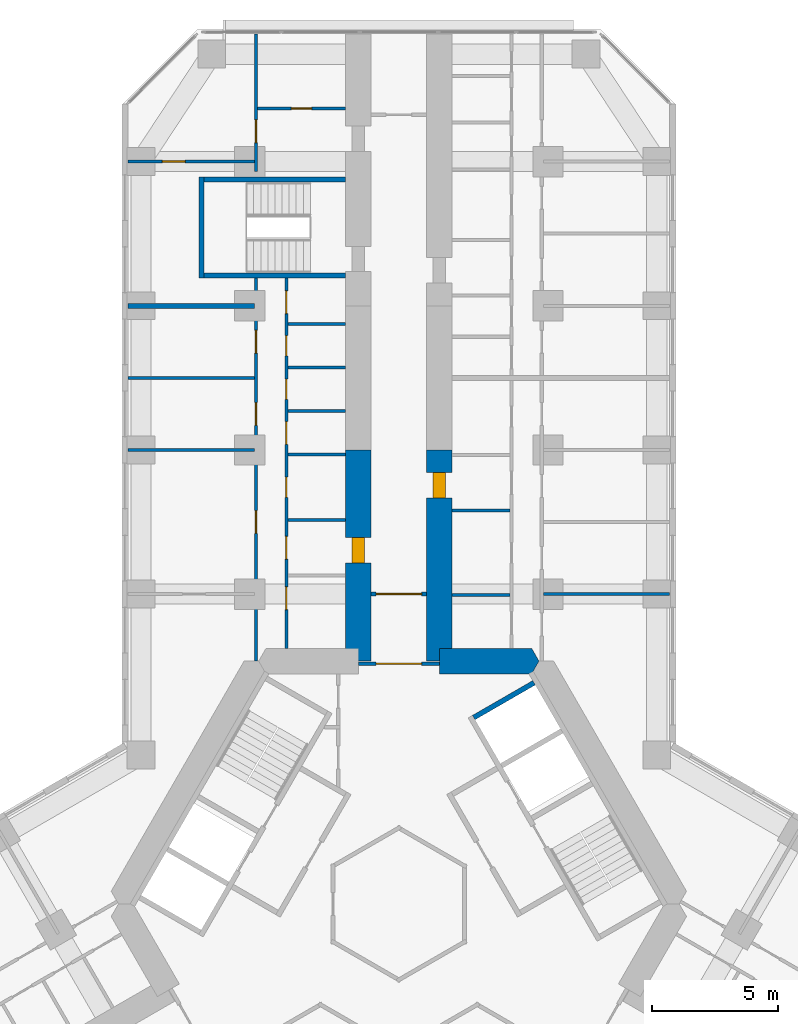
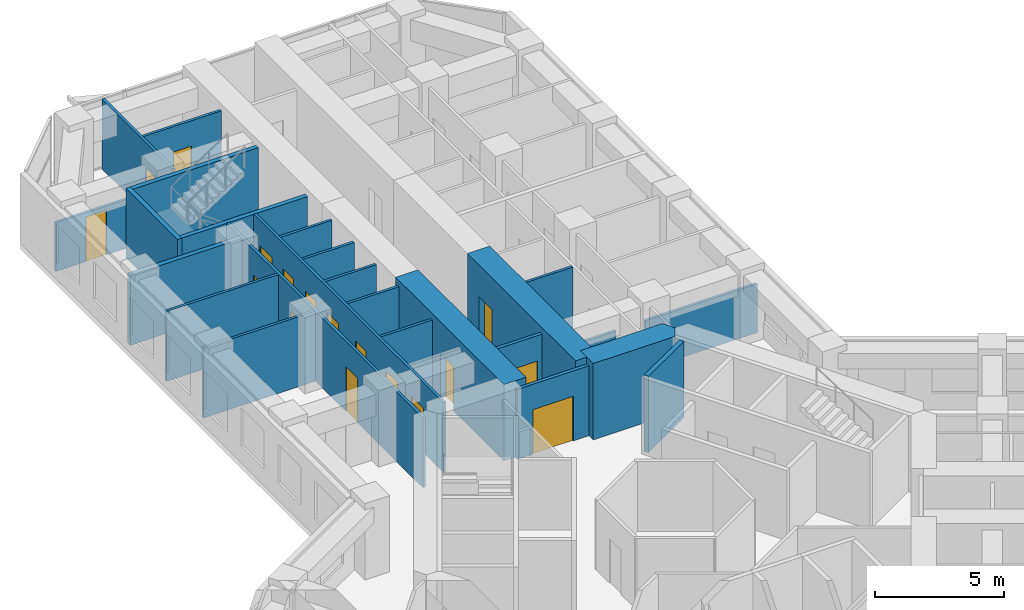
# One storey, part 17 of 21: 25 walls, 17 doors, 17 openings.
"""IFC4 building model written with IfcOpenShell, lengths in metres."""

from ifc_helpers import new_model, si_unit, direction, frame, frame_2d, origin, place, context, subcontext, project, spatial, polyline, rectangle, outline, extrude, material, layer, layer_set, type_object, element, fill, save


model = new_model("IFC4")

# Units and contexts
model_context = context("Model", 3, precision=1e-05, world=origin(), true_north=direction((0.0, 1.0)))
body_context = subcontext(model_context, "Body", "Model", "MODEL_VIEW")
ifc_project = project(units=[si_unit("LENGTHUNIT", "METRE"), si_unit("AREAUNIT", "SQUARE_METRE"), si_unit("VOLUMEUNIT", "CUBIC_METRE"), si_unit("PLANEANGLEUNIT", "RADIAN"), si_unit("MASSUNIT", "GRAM", prefix="KILO")], contexts=[model_context])

# Site, building, storey
site_placement = place(None, origin())
site = spatial("IfcSite", under=ifc_project, at=site_placement, CompositionType="ELEMENT")
building_placement = place(site_placement, origin())
building = spatial("IfcBuilding", under=site, at=building_placement, Name="Kosmar Iwan School Tower", CompositionType="ELEMENT")
storey_placement = place(building_placement, frame((0.0, 0.0, 28.800048828125)))
storey = spatial("IfcBuildingStorey", under=building, at=storey_placement, Name="L06", CompositionType="ELEMENT", Elevation=28.800048828125)

# Wall
ifc_material_1 = material(Name="Concrete C50/60", Category="concrete")
ifc_layer_1 = layer(ifc_material_1, 1.0)
ifc_layer_set_1 = layer_set([ifc_layer_1], Name="Core wall 1000")
wall_type_1 = type_object("IfcWallType", Name="Core wall 1000", PredefinedType="SHEAR", material=ifc_layer_set_1)
wall_1_placement = place(storey_placement, origin())
element("IfcWall", 1, at=wall_1_placement, inside=storey, type_object=wall_type_1, Name="Core wall F090a", PredefinedType="SHEAR", context=body_context, shape_type="SweptSolid", body=[
    extrude(outline(polyline([(1.60009765625, 9.10009765625), (5.25390625, 9.10009765625), (5.54248046875, 9.60009765625), (5.25390625, 10.10009765625), (1.60009765625, 10.10009765625), (1.60009765625, 9.10009765625)])), origin(), (0.0, 0.0, 1.0), 3.599853515625),
])

# Wall, opening, door
ifc_material_2 = material(Name="Concrete C50/60", Category="concrete")
ifc_layer_2 = layer(ifc_material_2, 1.0)
ifc_layer_set_2 = layer_set([ifc_layer_2], Name="Corridor buttress wall 1000")
wall_type_2 = type_object("IfcWallType", Name="Corridor buttress wall 1000", PredefinedType="SHEAR", material=ifc_layer_set_2)
wall_2_placement = place(storey_placement, frame((-1.60009765625, 9.60009765625, 0.0), z_axis=(0.0, 0.0, 1.0), x_axis=(0.0, 1.0, 0.0)))
wall_2 = element("IfcWall", 2, at=wall_2_placement, inside=storey, type_object=wall_type_2, Name="Corridor wall AL", PredefinedType="SHEAR", context=body_context, shape_type="SweptSolid", body=[
    extrude(rectangle(XDim=8.349853515625, YDim=1.0, at=frame_2d((4.1748046875, 0.0))), origin(), (0.0, 0.0, 1.0), 3.599853515625),
])
opening_1_placement = place(wall_2_placement, frame((3.8798828125, 0.0, 0.0)))
opening_1 = element("IfcOpeningElement", 3, at=opening_1_placement, cuts=wall_2, Name="Opening D1", PredefinedType="OPENING", context=body_context, shape_type="SweptSolid", body=[
    extrude(rectangle(XDim=1.0, YDim=2.10009765625, at=frame_2d((0.5, 1.050048828125))), frame((0.0, 0.511962890625, 0.0), z_axis=(0.0, -1.0, 0.0), x_axis=(1.0, 0.0, 0.0)), (0.0, 0.0, 1.0), 1.02392578125),
])
ifc_material_3 = material(Name="Timber fire door in steel frame", Category="steel")
door_type_1 = type_object("IfcDoorType", Name="Flat entrance door 1000x2100", OperationType="SINGLE_SWING_LEFT", PredefinedType="DOOR", material=ifc_material_3)
door_1_placement = place(opening_1_placement, origin())
door_1 = element("IfcDoor", 4, at=door_1_placement, inside=storey, type_object=door_type_1, Name="Flat L06-AL1 entrance door", OperationType="SINGLE_SWING_LEFT", OverallHeight=2.10009765625, OverallWidth=1.0, PredefinedType="DOOR", context=body_context, shape_type="SweptSolid", body=[
    extrude(rectangle(XDim=1.0, YDim=2.10009765625, at=frame_2d((0.5, 1.050048828125))), frame((0.0, 0.25, 0.0), z_axis=(0.0, -1.0, 0.0), x_axis=(1.0, 0.0, 0.0)), (0.0, 0.0, 1.0), 0.5),
])
fill(opening_1, door_1)

wall_3_placement = place(storey_placement, frame((1.60009765625, 9.60009765625, 0.0), z_axis=(0.0, 0.0, 1.0), x_axis=(0.0, 1.0, 0.0)))
wall_3 = element("IfcWall", 5, at=wall_3_placement, inside=storey, type_object=wall_type_2, Name="Corridor wall AR", PredefinedType="SHEAR", context=body_context, shape_type="SweptSolid", body=[
    extrude(rectangle(XDim=8.349853515625, YDim=1.0, at=frame_2d((4.1748046875, 0.0))), origin(), (0.0, 0.0, 1.0), 3.599853515625),
])
opening_2_placement = place(wall_3_placement, frame((6.449951171875, 0.0, 0.0)))
opening_2 = element("IfcOpeningElement", 6, at=opening_2_placement, cuts=wall_3, Name="Opening D1", PredefinedType="OPENING", context=body_context, shape_type="SweptSolid", body=[
    extrude(rectangle(XDim=1.0, YDim=2.10009765625, at=frame_2d((0.5, 1.050048828125))), frame((0.0, 0.511962890625, 0.0), z_axis=(0.0, -1.0, 0.0), x_axis=(1.0, 0.0, 0.0)), (0.0, 0.0, 1.0), 1.02392578125),
])
door_2_placement = place(opening_2_placement, origin())
door_2 = element("IfcDoor", 7, at=door_2_placement, inside=storey, type_object=door_type_1, Name="Flat L06-AR1 entrance door", OperationType="SINGLE_SWING_RIGHT", OverallHeight=2.10009765625, OverallWidth=1.0, PredefinedType="DOOR", context=body_context, shape_type="SweptSolid", body=[
    extrude(rectangle(XDim=1.0, YDim=2.10009765625, at=frame_2d((0.5, 1.050048828125))), frame((0.0, 0.25, 0.0), z_axis=(0.0, -1.0, 0.0), x_axis=(1.0, 0.0, 0.0)), (0.0, 0.0, 1.0), 0.5),
])
fill(opening_2, door_2)

ifc_material_4 = material(Name="Gypsum board on steel studs, fire-rated", Category="steel")
ifc_layer_3 = layer(ifc_material_4, 0.14990234375)
ifc_layer_set_3 = layer_set([ifc_layer_3], Name="Corridor end wall 150")
wall_type_3 = type_object("IfcWallType", Name="Corridor end wall 150", PredefinedType="PARTITIONING", material=ifc_layer_set_3)
wall_4_placement = place(storey_placement, frame((1.10009765625, 12.25, 0.0), z_axis=(0.0, 0.0, 1.0), x_axis=(-1.0, 0.0, 0.0)))
wall_4 = element("IfcWall", 8, at=wall_4_placement, inside=storey, type_object=wall_type_3, Name="Partition L06-A-HW", PredefinedType="PARTITIONING", context=body_context, shape_type="SweptSolid", body=[
    extrude(rectangle(XDim=2.2001953125, YDim=0.14990234375, at=frame_2d((1.10009765625, 0.0))), origin(), (0.0, 0.0, 1.0), 3.300048828125),
])
opening_3_placement = place(wall_4_placement, frame((0.199951171875, 0.0, 0.0)))
opening_3 = element("IfcOpeningElement", 9, at=opening_3_placement, cuts=wall_4, Name="Opening D9", PredefinedType="OPENING", context=body_context, shape_type="SweptSolid", body=[
    extrude(rectangle(XDim=1.800048828125, YDim=2.10009765625, at=frame_2d((0.89990234375, 1.050048828125))), frame((0.0, 0.0869140625, 0.0), z_axis=(0.0, -1.0, 0.0), x_axis=(1.0, 0.0, 0.0)), (0.0, 0.0, 1.0), 0.173828125),
])
ifc_material_5 = material(Name="Steel framed glazed smoke door", Category="steel")
door_type_2 = type_object("IfcDoorType", Name="Corridor smoke door pair 1800x2100", OperationType="DOUBLE_DOOR_DOUBLE_SWING", PredefinedType="DOOR", material=ifc_material_5)
door_3_placement = place(opening_3_placement, origin())
door_3 = element("IfcDoor", 10, at=door_3_placement, inside=storey, type_object=door_type_2, Name="Entrance vestibule smoke doors L06-A", OperationType="DOUBLE_DOOR_DOUBLE_SWING", OverallHeight=2.10009765625, OverallWidth=1.800048828125, PredefinedType="DOOR", context=body_context, shape_type="SweptSolid", body=[
    extrude(rectangle(XDim=1.800048828125, YDim=2.10009765625, at=frame_2d((0.89990234375, 1.050048828125))), frame((0.0, 0.02490234375, 0.0), z_axis=(0.0, -1.0, 0.0), x_axis=(1.0, 0.0, 0.0)), (0.0, 0.0, 1.0), 0.050048828125),
])
fill(opening_3, door_3)

ifc_material_6 = material(Name="Steel framed glazed screen", Category="steel")
ifc_layer_4 = layer(ifc_material_6, 0.14990234375)
ifc_layer_set_4 = layer_set([ifc_layer_4], Name="Corridor screen wall 150")
wall_type_4 = type_object("IfcWallType", Name="Corridor screen wall 150", PredefinedType="PARTITIONING", material=ifc_layer_set_4)
wall_5_placement = place(storey_placement, frame((1.60009765625, 9.5, 0.0), z_axis=(0.0, 0.0, 1.0), x_axis=(-1.0, 0.0, 0.0)))
wall_5 = element("IfcWall", 11, at=wall_5_placement, inside=storey, type_object=wall_type_4, Name="Corridor screen A L06", PredefinedType="PARTITIONING", context=body_context, shape_type="SweptSolid", body=[
    extrude(rectangle(XDim=3.2001953125, YDim=0.14990234375, at=frame_2d((1.60009765625, 0.0))), origin(), (0.0, 0.0, 1.0), 3.300048828125),
])
opening_4_placement = place(wall_5_placement, frame((0.699951171875, 0.0, 0.0)))
opening_4 = element("IfcOpeningElement", 12, at=opening_4_placement, cuts=wall_5, Name="Opening D9", PredefinedType="OPENING", context=body_context, shape_type="SweptSolid", body=[
    extrude(rectangle(XDim=1.800048828125, YDim=2.10009765625, at=frame_2d((0.89990234375, 1.050048828125))), frame((0.0, 0.0869140625, 0.0), z_axis=(0.0, -1.0, 0.0), x_axis=(1.0, 0.0, 0.0)), (0.0, 0.0, 1.0), 0.173828125),
])
door_4_placement = place(opening_4_placement, origin())
door_4 = element("IfcDoor", 13, at=door_4_placement, inside=storey, type_object=door_type_2, Name="Corridor doors A L06", OperationType="DOUBLE_DOOR_DOUBLE_SWING", OverallHeight=2.10009765625, OverallWidth=1.800048828125, PredefinedType="DOOR", context=body_context, shape_type="SweptSolid", body=[
    extrude(rectangle(XDim=1.800048828125, YDim=2.10009765625, at=frame_2d((0.89990234375, 1.050048828125))), frame((0.0, 0.02490234375, 0.0), z_axis=(0.0, -1.0, 0.0), x_axis=(1.0, 0.0, 0.0)), (0.0, 0.0, 1.0), 0.050048828125),
])
fill(opening_4, door_4)

# Wall, openings, doors
ifc_material_7 = material(Name="Gypsum board on steel studs", Category="steel")
ifc_layer_5 = layer(ifc_material_7, 0.1201171875)
ifc_layer_set_5 = layer_set([ifc_layer_5], Name="Dwelling partition 120")
wall_type_5 = type_object("IfcWallType", Name="Dwelling partition 120", PredefinedType="PARTITIONING", material=ifc_layer_set_5)
wall_6_placement = place(storey_placement, frame((-4.449951171875, 10.10009765625, 0.0), z_axis=(0.0, 0.0, 1.0), x_axis=(0.0, 1.0, 0.0)))
wall_6 = element("IfcWall", 14, at=wall_6_placement, inside=storey, type_object=wall_type_5, Name="Partition L06-AL1-W1", PredefinedType="PARTITIONING", context=body_context, shape_type="SweptSolid", body=[
    extrude(rectangle(XDim=14.64990234375, YDim=0.1201171875, at=frame_2d((7.324951171875, 0.0))), origin(), (0.0, 0.0, 1.0), 3.300048828125),
])
opening_5_placement = place(wall_6_placement, frame((1.5400390625, 0.0, 0.0)))
opening_5 = element("IfcOpeningElement", 15, at=opening_5_placement, cuts=wall_6, Name="Opening D2", PredefinedType="OPENING", context=body_context, shape_type="SweptSolid", body=[
    extrude(rectangle(XDim=0.89990234375, YDim=2.10009765625, at=frame_2d((0.449951171875, 1.050048828125))), frame((0.0, 0.072021484375, 0.0), z_axis=(0.0, -1.0, 0.0), x_axis=(1.0, 0.0, 0.0)), (0.0, 0.0, 1.0), 0.14404296875),
])
opening_6_placement = place(wall_6_placement, frame((3.530029296875, 0.0, 0.0)))
opening_6 = element("IfcOpeningElement", 16, at=opening_6_placement, cuts=wall_6, Name="Opening D2", PredefinedType="OPENING", context=body_context, shape_type="SweptSolid", body=[
    extrude(rectangle(XDim=0.89990234375, YDim=2.10009765625, at=frame_2d((0.449951171875, 1.050048828125))), frame((0.0, 0.072021484375, 0.0), z_axis=(0.0, -1.0, 0.0), x_axis=(1.0, 0.0, 0.0)), (0.0, 0.0, 1.0), 0.14404296875),
])
opening_7_placement = place(wall_6_placement, frame((5.971435546875, 0.0, 0.0)))
opening_7 = element("IfcOpeningElement", 17, at=opening_7_placement, cuts=wall_6, Name="Opening D3", PredefinedType="OPENING", context=body_context, shape_type="SweptSolid", body=[
    extrude(rectangle(XDim=0.800048828125, YDim=2.10009765625, at=frame_2d((0.39990234375, 1.050048828125))), frame((0.0, 0.072021484375, 0.0), z_axis=(0.0, -1.0, 0.0), x_axis=(1.0, 0.0, 0.0)), (0.0, 0.0, 1.0), 0.14404296875),
])
opening_8_placement = place(wall_6_placement, frame((8.07373046875, 0.0, 0.0)))
opening_8 = element("IfcOpeningElement", 18, at=opening_8_placement, cuts=wall_6, Name="Opening D2", PredefinedType="OPENING", context=body_context, shape_type="SweptSolid", body=[
    extrude(rectangle(XDim=0.89990234375, YDim=2.10009765625, at=frame_2d((0.449951171875, 1.050048828125))), frame((0.0, 0.072021484375, 0.0), z_axis=(0.0, -1.0, 0.0), x_axis=(1.0, 0.0, 0.0)), (0.0, 0.0, 1.0), 0.14404296875),
])
opening_9_placement = place(wall_6_placement, frame((9.845458984375, 0.0, 0.0)))
opening_9 = element("IfcOpeningElement", 19, at=opening_9_placement, cuts=wall_6, Name="Opening D3", PredefinedType="OPENING", context=body_context, shape_type="SweptSolid", body=[
    extrude(rectangle(XDim=0.800048828125, YDim=2.10009765625, at=frame_2d((0.39990234375, 1.050048828125))), frame((0.0, 0.072021484375, 0.0), z_axis=(0.0, -1.0, 0.0), x_axis=(1.0, 0.0, 0.0)), (0.0, 0.0, 1.0), 0.14404296875),
])
opening_10_placement = place(wall_6_placement, frame((11.5673828125, 0.0, 0.0)))
opening_10 = element("IfcOpeningElement", 20, at=opening_10_placement, cuts=wall_6, Name="Opening D3", PredefinedType="OPENING", context=body_context, shape_type="SweptSolid", body=[
    extrude(rectangle(XDim=0.800048828125, YDim=2.10009765625, at=frame_2d((0.39990234375, 1.050048828125))), frame((0.0, 0.072021484375, 0.0), z_axis=(0.0, -1.0, 0.0), x_axis=(1.0, 0.0, 0.0)), (0.0, 0.0, 1.0), 0.14404296875),
])
opening_11_placement = place(wall_6_placement, frame((13.239013671875, 0.0, 0.0)))
opening_11 = element("IfcOpeningElement", 21, at=opening_11_placement, cuts=wall_6, Name="Opening D2", PredefinedType="OPENING", context=body_context, shape_type="SweptSolid", body=[
    extrude(rectangle(XDim=0.89990234375, YDim=2.10009765625, at=frame_2d((0.449951171875, 1.050048828125))), frame((0.0, 0.072021484375, 0.0), z_axis=(0.0, -1.0, 0.0), x_axis=(1.0, 0.0, 0.0)), (0.0, 0.0, 1.0), 0.14404296875),
])
ifc_material_8 = material(Name="Timber door in timber frame", Category="wood")
door_type_3 = type_object("IfcDoorType", Name="Internal door 900x2100", OperationType="SINGLE_SWING_LEFT", PredefinedType="DOOR", material=ifc_material_8)
door_5_placement = place(opening_5_placement, frame((0.89990234375, 0.0, 0.0), z_axis=(0.0, 0.0, 1.0), x_axis=(-1.0, 0.0, 0.0)))
door_5 = element("IfcDoor", 22, at=door_5_placement, inside=storey, type_object=door_type_3, Name="Utility room door L06-AL1-S1", OperationType="SINGLE_SWING_RIGHT", OverallHeight=2.10009765625, OverallWidth=0.89990234375, PredefinedType="DOOR", context=body_context, shape_type="SweptSolid", body=[
    extrude(rectangle(XDim=0.89990234375, YDim=2.10009765625, at=frame_2d((0.449951171875, 1.050048828125))), frame((0.0, 0.02490234375, 0.0), z_axis=(0.0, -1.0, 0.0), x_axis=(1.0, 0.0, 0.0)), (0.0, 0.0, 1.0), 0.050048828125),
])
fill(opening_5, door_5)
door_6_placement = place(opening_6_placement, origin())
door_6 = element("IfcDoor", 23, at=door_6_placement, inside=storey, type_object=door_type_3, Name="Entrance hall door L06-AL1-S2", OperationType="SINGLE_SWING_LEFT", OverallHeight=2.10009765625, OverallWidth=0.89990234375, PredefinedType="DOOR", context=body_context, shape_type="SweptSolid", body=[
    extrude(rectangle(XDim=0.89990234375, YDim=2.10009765625, at=frame_2d((0.449951171875, 1.050048828125))), frame((0.0, 0.02490234375, 0.0), z_axis=(0.0, -1.0, 0.0), x_axis=(1.0, 0.0, 0.0)), (0.0, 0.0, 1.0), 0.050048828125),
])
fill(opening_6, door_6)
door_7_placement = place(opening_8_placement, origin())
door_7 = element("IfcDoor", 24, at=door_7_placement, inside=storey, type_object=door_type_3, Name="Pantry door L06-AL1-S4", OperationType="SINGLE_SWING_RIGHT", OverallHeight=2.10009765625, OverallWidth=0.89990234375, PredefinedType="DOOR", context=body_context, shape_type="SweptSolid", body=[
    extrude(rectangle(XDim=0.89990234375, YDim=2.10009765625, at=frame_2d((0.449951171875, 1.050048828125))), frame((0.0, 0.02490234375, 0.0), z_axis=(0.0, -1.0, 0.0), x_axis=(1.0, 0.0, 0.0)), (0.0, 0.0, 1.0), 0.050048828125),
])
fill(opening_8, door_7)
door_8_placement = place(opening_11_placement, frame((0.89990234375, 0.0, 0.0), z_axis=(0.0, 0.0, 1.0), x_axis=(-1.0, 0.0, 0.0)))
door_8 = element("IfcDoor", 25, at=door_8_placement, inside=storey, type_object=door_type_3, Name="Dressing room door L06-AL1-S7", OperationType="SINGLE_SWING_LEFT", OverallHeight=2.10009765625, OverallWidth=0.89990234375, PredefinedType="DOOR", context=body_context, shape_type="SweptSolid", body=[
    extrude(rectangle(XDim=0.89990234375, YDim=2.10009765625, at=frame_2d((0.449951171875, 1.050048828125))), frame((0.0, 0.02490234375, 0.0), z_axis=(0.0, -1.0, 0.0), x_axis=(1.0, 0.0, 0.0)), (0.0, 0.0, 1.0), 0.050048828125),
])
fill(opening_11, door_8)
ifc_material_9 = material(Name="Timber door in timber frame", Category="wood")
door_type_4 = type_object("IfcDoorType", Name="Sanitary room door 800x2100", OperationType="SINGLE_SWING_LEFT", PredefinedType="DOOR", material=ifc_material_9)
door_9_placement = place(opening_7_placement, origin())
door_9 = element("IfcDoor", 26, at=door_9_placement, inside=storey, type_object=door_type_4, Name="Bathroom door L06-AL1-S3", OperationType="SINGLE_SWING_LEFT", OverallHeight=2.10009765625, OverallWidth=0.800048828125, PredefinedType="DOOR", context=body_context, shape_type="SweptSolid", body=[
    extrude(rectangle(XDim=0.800048828125, YDim=2.10009765625, at=frame_2d((0.39990234375, 1.050048828125))), frame((0.0, 0.02490234375, 0.0), z_axis=(0.0, -1.0, 0.0), x_axis=(1.0, 0.0, 0.0)), (0.0, 0.0, 1.0), 0.050048828125),
])
fill(opening_7, door_9)
door_10_placement = place(opening_9_placement, origin())
door_10 = element("IfcDoor", 27, at=door_10_placement, inside=storey, type_object=door_type_4, Name="WC door L06-AL1-S5", OperationType="SINGLE_SWING_RIGHT", OverallHeight=2.10009765625, OverallWidth=0.800048828125, PredefinedType="DOOR", context=body_context, shape_type="SweptSolid", body=[
    extrude(rectangle(XDim=0.800048828125, YDim=2.10009765625, at=frame_2d((0.39990234375, 1.050048828125))), frame((0.0, 0.02490234375, 0.0), z_axis=(0.0, -1.0, 0.0), x_axis=(1.0, 0.0, 0.0)), (0.0, 0.0, 1.0), 0.050048828125),
])
fill(opening_9, door_10)
door_11_placement = place(opening_10_placement, origin())
door_11 = element("IfcDoor", 28, at=door_11_placement, inside=storey, type_object=door_type_4, Name="Store door L06-AL1-S6", OperationType="SINGLE_SWING_RIGHT", OverallHeight=2.10009765625, OverallWidth=0.800048828125, PredefinedType="DOOR", context=body_context, shape_type="SweptSolid", body=[
    extrude(rectangle(XDim=0.800048828125, YDim=2.10009765625, at=frame_2d((0.39990234375, 1.050048828125))), frame((0.0, 0.02490234375, 0.0), z_axis=(0.0, -1.0, 0.0), x_axis=(1.0, 0.0, 0.0)), (0.0, 0.0, 1.0), 0.050048828125),
])
fill(opening_10, door_11)

wall_7_placement = place(storey_placement, frame((-5.64990234375, 9.60009765625, 0.0), z_axis=(0.0, 0.0, 1.0), x_axis=(0.0, 1.0, 0.0)))
wall_7 = element("IfcWall", 29, at=wall_7_placement, inside=storey, type_object=wall_type_5, Name="Partition L06-AL1-W2", PredefinedType="PARTITIONING", context=body_context, shape_type="SweptSolid", body=[
    extrude(rectangle(XDim=15.14990234375, YDim=0.1201171875, at=frame_2d((7.574951171875, 0.0))), origin(), (0.0, 0.0, 1.0), 3.300048828125),
])
opening_12_placement = place(wall_7_placement, frame((5.050048828125, 0.0, 0.0)))
opening_12 = element("IfcOpeningElement", 30, at=opening_12_placement, cuts=wall_7, Name="Opening D2", PredefinedType="OPENING", context=body_context, shape_type="SweptSolid", body=[
    extrude(rectangle(XDim=0.89990234375, YDim=2.10009765625, at=frame_2d((0.449951171875, 1.050048828125))), frame((0.0, 0.072021484375, 0.0), z_axis=(0.0, -1.0, 0.0), x_axis=(1.0, 0.0, 0.0)), (0.0, 0.0, 1.0), 0.14404296875),
])
opening_13_placement = place(wall_7_placement, frame((9.324951171875, 0.0, 0.0)))
opening_13 = element("IfcOpeningElement", 31, at=opening_13_placement, cuts=wall_7, Name="Opening D2", PredefinedType="OPENING", context=body_context, shape_type="SweptSolid", body=[
    extrude(rectangle(XDim=0.89990234375, YDim=2.10009765625, at=frame_2d((0.449951171875, 1.050048828125))), frame((0.0, 0.072021484375, 0.0), z_axis=(0.0, -1.0, 0.0), x_axis=(1.0, 0.0, 0.0)), (0.0, 0.0, 1.0), 0.14404296875),
])
opening_14_placement = place(wall_7_placement, frame((12.175048828125, 0.0, 0.0)))
opening_14 = element("IfcOpeningElement", 32, at=opening_14_placement, cuts=wall_7, Name="Opening D2", PredefinedType="OPENING", context=body_context, shape_type="SweptSolid", body=[
    extrude(rectangle(XDim=0.89990234375, YDim=2.10009765625, at=frame_2d((0.449951171875, 1.050048828125))), frame((0.0, 0.072021484375, 0.0), z_axis=(0.0, -1.0, 0.0), x_axis=(1.0, 0.0, 0.0)), (0.0, 0.0, 1.0), 0.14404296875),
])
door_12_placement = place(opening_12_placement, origin())
door_12 = element("IfcDoor", 33, at=door_12_placement, inside=storey, type_object=door_type_3, Name="Living room door L06-AL1-F2", OperationType="SINGLE_SWING_LEFT", OverallHeight=2.10009765625, OverallWidth=0.89990234375, PredefinedType="DOOR", context=body_context, shape_type="SweptSolid", body=[
    extrude(rectangle(XDim=0.89990234375, YDim=2.10009765625, at=frame_2d((0.449951171875, 1.050048828125))), frame((0.0, 0.02490234375, 0.0), z_axis=(0.0, -1.0, 0.0), x_axis=(1.0, 0.0, 0.0)), (0.0, 0.0, 1.0), 0.050048828125),
])
fill(opening_12, door_12)
door_13_placement = place(opening_13_placement, origin())
door_13 = element("IfcDoor", 34, at=door_13_placement, inside=storey, type_object=door_type_3, Name="Study door L06-AL1-F3", OperationType="SINGLE_SWING_RIGHT", OverallHeight=2.10009765625, OverallWidth=0.89990234375, PredefinedType="DOOR", context=body_context, shape_type="SweptSolid", body=[
    extrude(rectangle(XDim=0.89990234375, YDim=2.10009765625, at=frame_2d((0.449951171875, 1.050048828125))), frame((0.0, 0.02490234375, 0.0), z_axis=(0.0, -1.0, 0.0), x_axis=(1.0, 0.0, 0.0)), (0.0, 0.0, 1.0), 0.050048828125),
])
fill(opening_13, door_13)
door_14_placement = place(opening_14_placement, origin())
door_14 = element("IfcDoor", 35, at=door_14_placement, inside=storey, type_object=door_type_3, Name="Bedroom 1 door L06-AL1-F4", OperationType="SINGLE_SWING_LEFT", OverallHeight=2.10009765625, OverallWidth=0.89990234375, PredefinedType="DOOR", context=body_context, shape_type="SweptSolid", body=[
    extrude(rectangle(XDim=0.89990234375, YDim=2.10009765625, at=frame_2d((0.449951171875, 1.050048828125))), frame((0.0, 0.02490234375, 0.0), z_axis=(0.0, -1.0, 0.0), x_axis=(1.0, 0.0, 0.0)), (0.0, 0.0, 1.0), 0.050048828125),
])
fill(opening_14, door_14)

# Walls
for number, where, z_axis, x_axis, name in (
    (36, (-5.7099609375, 17.949951171875, 0.0), (0.0, 0.0, 1.0), (-1.0, 0.0, 0.0), "Partition L06-AL1-X2"),
    (37, (-5.7099609375, 20.800048828125, 0.0), (0.0, 0.0, 1.0), (-1.0, 0.0, 0.0), "Partition L06-AL1-X3"),
):
    element("IfcWall", number, at=place(storey_placement, frame(where, z_axis=z_axis, x_axis=x_axis)), inside=storey, type_object=wall_type_5, Name=name, PredefinedType="PARTITIONING", context=body_context, shape_type="SweptSolid", body=[
        extrude(rectangle(XDim=4.989990234375, YDim=0.1201171875, at=frame_2d((2.4951171875, 0.0))), origin(), (0.0, 0.0, 1.0), 3.300048828125),
    ])
for number, where, z_axis, x_axis, name in (
    (38, (-2.10009765625, 15.179931640625, 0.0), (0.0, 0.0, 1.0), (-1.0, 0.0, 0.0), "Partition L06-AL1-Y2"),
    (39, (-2.10009765625, 17.7626953125, 0.0), (0.0, 0.0, 1.0), (-1.0, 0.0, 0.0), "Partition L06-AL1-Y3"),
    (40, (-2.10009765625, 19.484619140625, 0.0), (0.0, 0.0, 1.0), (-1.0, 0.0, 0.0), "Partition L06-AL1-Y4"),
    (41, (-2.10009765625, 21.206298828125, 0.0), (0.0, 0.0, 1.0), (-1.0, 0.0, 0.0), "Partition L06-AL1-Y5"),
    (42, (-2.10009765625, 22.92822265625, 0.0), (0.0, 0.0, 1.0), (-1.0, 0.0, 0.0), "Partition L06-AL1-Y6"),
):
    element("IfcWall", number, at=place(storey_placement, frame(where, z_axis=z_axis, x_axis=x_axis)), inside=storey, type_object=wall_type_5, Name=name, PredefinedType="PARTITIONING", context=body_context, shape_type="SweptSolid", body=[
        extrude(rectangle(XDim=2.289794921875, YDim=0.1201171875, at=frame_2d((1.14501953125, 0.0))), origin(), (0.0, 0.0, 1.0), 3.300048828125),
    ])

# Wall, opening, door
wall_8_placement = place(storey_placement, frame((-5.7099609375, 29.35009765625, 0.0), z_axis=(0.0, 0.0, 1.0), x_axis=(-1.0, 0.0, 0.0)))
wall_8 = element("IfcWall", 43, at=wall_8_placement, inside=storey, type_object=wall_type_5, Name="Partition L06-AL2-TX", PredefinedType="PARTITIONING", context=body_context, shape_type="SweptSolid", body=[
    extrude(rectangle(XDim=4.989990234375, YDim=0.1201171875, at=frame_2d((2.4951171875, 0.0))), origin(), (0.0, 0.0, 1.0), 2.300048828125),
])
opening_15_placement = place(wall_8_placement, frame((2.739990234375, 0.0, 0.0)))
opening_15 = element("IfcOpeningElement", 44, at=opening_15_placement, cuts=wall_8, Name="Opening D2", PredefinedType="OPENING", context=body_context, shape_type="SweptSolid", body=[
    extrude(rectangle(XDim=0.89990234375, YDim=2.10009765625, at=frame_2d((0.449951171875, 1.050048828125))), frame((0.0, 0.072021484375, 0.0), z_axis=(0.0, -1.0, 0.0), x_axis=(1.0, 0.0, 0.0)), (0.0, 0.0, 1.0), 0.14404296875),
])
door_15_placement = place(opening_15_placement, origin())
door_15 = element("IfcDoor", 45, at=door_15_placement, inside=storey, type_object=door_type_3, Name="Bedroom 1 door L06-AL2-T1", OperationType="SINGLE_SWING_RIGHT", OverallHeight=2.10009765625, OverallWidth=0.89990234375, PredefinedType="DOOR", context=body_context, shape_type="SweptSolid", body=[
    extrude(rectangle(XDim=0.89990234375, YDim=2.10009765625, at=frame_2d((0.449951171875, 1.050048828125))), frame((0.0, 0.02490234375, 0.0), z_axis=(0.0, -1.0, 0.0), x_axis=(1.0, 0.0, 0.0)), (0.0, 0.0, 1.0), 0.050048828125),
])
fill(opening_15, door_15)

wall_9_placement = place(storey_placement, frame((-5.64990234375, 28.949951171875, 0.0), z_axis=(0.0, 0.0, 1.0), x_axis=(0.0, 1.0, 0.0)))
wall_9 = element("IfcWall", 46, at=wall_9_placement, inside=storey, type_object=wall_type_5, Name="Partition L06-AL2-TW", PredefinedType="PARTITIONING", context=body_context, shape_type="SweptSolid", body=[
    extrude(rectangle(XDim=5.445068359375, YDim=0.1201171875, at=frame_2d((2.72265625, 0.0))), origin(), (0.0, 0.0, 1.0), 3.300048828125),
])
opening_16_placement = place(wall_9_placement, frame((1.14990234375, 0.0, 0.0)))
opening_16 = element("IfcOpeningElement", 47, at=opening_16_placement, cuts=wall_9, Name="Opening D2", PredefinedType="OPENING", context=body_context, shape_type="SweptSolid", body=[
    extrude(rectangle(XDim=0.89990234375, YDim=2.10009765625, at=frame_2d((0.449951171875, 1.050048828125))), frame((0.0, 0.072021484375, 0.0), z_axis=(0.0, -1.0, 0.0), x_axis=(1.0, 0.0, 0.0)), (0.0, 0.0, 1.0), 0.14404296875),
])
door_16_placement = place(opening_16_placement, origin())
door_16 = element("IfcDoor", 48, at=door_16_placement, inside=storey, type_object=door_type_3, Name="Entrance hall door L06-AL2-T3", OperationType="SINGLE_SWING_LEFT", OverallHeight=2.10009765625, OverallWidth=0.89990234375, PredefinedType="DOOR", context=body_context, shape_type="SweptSolid", body=[
    extrude(rectangle(XDim=0.89990234375, YDim=2.10009765625, at=frame_2d((0.449951171875, 1.050048828125))), frame((0.0, 0.02490234375, 0.0), z_axis=(0.0, -1.0, 0.0), x_axis=(1.0, 0.0, 0.0)), (0.0, 0.0, 1.0), 0.050048828125),
])
fill(opening_16, door_16)

wall_10_placement = place(storey_placement, frame((-2.10009765625, 31.449951171875, 0.0), z_axis=(0.0, 0.0, 1.0), x_axis=(-1.0, 0.0, 0.0)))
wall_10 = element("IfcWall", 49, at=wall_10_placement, inside=storey, type_object=wall_type_5, Name="Partition L06-AL2-TY", PredefinedType="PARTITIONING", context=body_context, shape_type="SweptSolid", body=[
    extrude(rectangle(XDim=3.489990234375, YDim=0.1201171875, at=frame_2d((1.7451171875, 0.0))), origin(), (0.0, 0.0, 1.0), 3.300048828125),
])
opening_17_placement = place(wall_10_placement, frame((1.344970703125, 0.0, 0.0)))
opening_17 = element("IfcOpeningElement", 50, at=opening_17_placement, cuts=wall_10, Name="Opening D3", PredefinedType="OPENING", context=body_context, shape_type="SweptSolid", body=[
    extrude(rectangle(XDim=0.800048828125, YDim=2.10009765625, at=frame_2d((0.39990234375, 1.050048828125))), frame((0.0, 0.072021484375, 0.0), z_axis=(0.0, -1.0, 0.0), x_axis=(1.0, 0.0, 0.0)), (0.0, 0.0, 1.0), 0.14404296875),
])
door_17_placement = place(opening_17_placement, origin())
door_17 = element("IfcDoor", 51, at=door_17_placement, inside=storey, type_object=door_type_4, Name="Bathroom door L06-AL2-T4", OperationType="SINGLE_SWING_LEFT", OverallHeight=2.10009765625, OverallWidth=0.800048828125, PredefinedType="DOOR", context=body_context, shape_type="SweptSolid", body=[
    extrude(rectangle(XDim=0.800048828125, YDim=2.10009765625, at=frame_2d((0.39990234375, 1.050048828125))), frame((0.0, 0.02490234375, 0.0), z_axis=(0.0, -1.0, 0.0), x_axis=(1.0, 0.0, 0.0)), (0.0, 0.0, 1.0), 0.050048828125),
])
fill(opening_17, door_17)

# Walls
wall_11_placement = place(storey_placement, frame((5.7099609375, 12.25, 0.0), z_axis=(0.0, 0.0, 1.0), x_axis=(1.0, 0.0, 0.0)))
element("IfcWall", 52, at=wall_11_placement, inside=storey, type_object=wall_type_5, Name="Partition L06-AR1-X1", PredefinedType="PARTITIONING", context=body_context, shape_type="SweptSolid", body=[
    extrude(rectangle(XDim=4.989990234375, YDim=0.1201171875, at=frame_2d((2.4951171875, 0.0))), origin(), (0.0, 0.0, 1.0), 2.300048828125),
])
wall_12_placement = place(storey_placement, frame((2.10009765625, 12.219970703125, 0.0), z_axis=(0.0, 0.0, 1.0), x_axis=(1.0, 0.0, 0.0)))
element("IfcWall", 53, at=wall_12_placement, inside=storey, type_object=wall_type_5, Name="Partition L06-AR1-Y1", PredefinedType="PARTITIONING", context=body_context, shape_type="SweptSolid", body=[
    extrude(rectangle(XDim=2.289794921875, YDim=0.1201171875, at=frame_2d((1.14501953125, 0.0))), origin(), (0.0, 0.0, 1.0), 2.300048828125),
])
wall_13_placement = place(storey_placement, frame((2.10009765625, 15.550048828125, 0.0), z_axis=(0.0, 0.0, 1.0), x_axis=(1.0, 0.0, 0.0)))
element("IfcWall", 54, at=wall_13_placement, inside=storey, type_object=wall_type_5, Name="Partition L06-AR1-Y2", PredefinedType="PARTITIONING", context=body_context, shape_type="SweptSolid", body=[
    extrude(rectangle(XDim=2.289794921875, YDim=0.1201171875, at=frame_2d((1.14501953125, 0.0))), origin(), (0.0, 0.0, 1.0), 3.300048828125),
])
ifc_material_10 = material(Name="Concrete C35/45", Category="concrete")
ifc_layer_6 = layer(ifc_material_10, 0.199951171875)
ifc_layer_set_6 = layer_set([ifc_layer_6], Name="Escape stair wall 200")
wall_type_6 = type_object("IfcWallType", Name="Escape stair wall 200", PredefinedType="SHEAR", material=ifc_layer_set_6)
for number, where, z_axis, x_axis, name in (
    (55, (-2.10009765625, 24.85009765625, 0.0), (0.0, 0.0, 1.0), (-1.0, 0.0, 0.0), "Stair WS1 wall"),
    (56, (-2.10009765625, 28.64990234375, 0.0), (0.0, 0.0, 1.0), (-1.0, 0.0, 0.0), "Stair WS1 wall"),
):
    element("IfcWall", number, at=place(storey_placement, frame(where, z_axis=z_axis, x_axis=x_axis)), inside=storey, type_object=wall_type_6, Name=name, PredefinedType="SHEAR", context=body_context, shape_type="SweptSolid", body=[
        extrude(rectangle(XDim=5.7998046875, YDim=0.199951171875, at=frame_2d((2.89990234375, 0.0))), origin(), (0.0, 0.0, 1.0), 3.280029296875),
    ])
wall_14_placement = place(storey_placement, frame((-7.800048828125, 24.75, 0.0), z_axis=(0.0, 0.0, 1.0), x_axis=(0.0, 1.0, 0.0)))
element("IfcWall", 57, at=wall_14_placement, inside=storey, type_object=wall_type_6, Name="Stair WS1 wall", PredefinedType="SHEAR", context=body_context, shape_type="SweptSolid", body=[
    extrude(rectangle(XDim=4.0, YDim=0.199951171875, at=frame_2d((2.0, 0.0))), origin(), (0.0, 0.0, 1.0), 3.280029296875),
])
ifc_material_11 = material(Name="Concrete C50/60", Category="concrete")
ifc_layer_7 = layer(ifc_material_11, 0.199951171875)
ifc_layer_set_7 = layer_set([ifc_layer_7], Name="Lift shaft wall 200")
wall_type_7 = type_object("IfcWallType", Name="Lift shaft wall 200", PredefinedType="SHEAR", material=ifc_layer_set_7)
wall_15_placement = place(storey_placement, frame((2.962646484375, 7.368408203125, 0.0), z_axis=(0.0, 0.0, 1.0), x_axis=(0.866027397988, 0.499996545922, 0.0)))
element("IfcWall", 58, at=wall_15_placement, inside=storey, type_object=wall_type_7, Name="Lift shaft wall AC 2", PredefinedType="SHEAR", context=body_context, shape_type="SweptSolid", body=[
    extrude(rectangle(XDim=2.75, YDim=0.199951171875, at=frame_2d((1.375, 0.0))), origin(), (0.0, 0.0, 1.0), 3.599853515625),
])
ifc_material_12 = material(Name="Concrete block masonry", Category="masonry")
ifc_layer_8 = layer(ifc_material_12, 0.199951171875)
ifc_layer_set_8 = layer_set([ifc_layer_8], Name="Party wall 200")
wall_type_8 = type_object("IfcWallType", Name="Party wall 200", PredefinedType="PARTITIONING", material=ifc_layer_set_8)
wall_16_placement = place(storey_placement, frame((-5.7099609375, 23.64990234375, 0.0), z_axis=(0.0, 0.0, 1.0), x_axis=(-1.0, 0.0, 0.0)))
element("IfcWall", 59, at=wall_16_placement, inside=storey, type_object=wall_type_8, Name="Partition L06-AL2-TB", PredefinedType="PARTITIONING", context=body_context, shape_type="SweptSolid", body=[
    extrude(rectangle(XDim=4.989990234375, YDim=0.199951171875, at=frame_2d((2.4951171875, 0.0))), origin(), (0.0, 0.0, 1.0), 3.300048828125),
])

save(model, "model.ifc")
